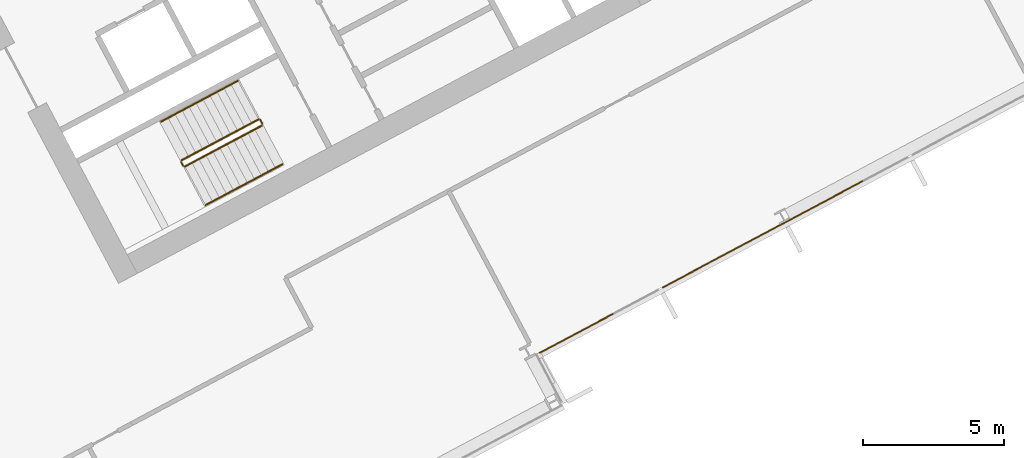
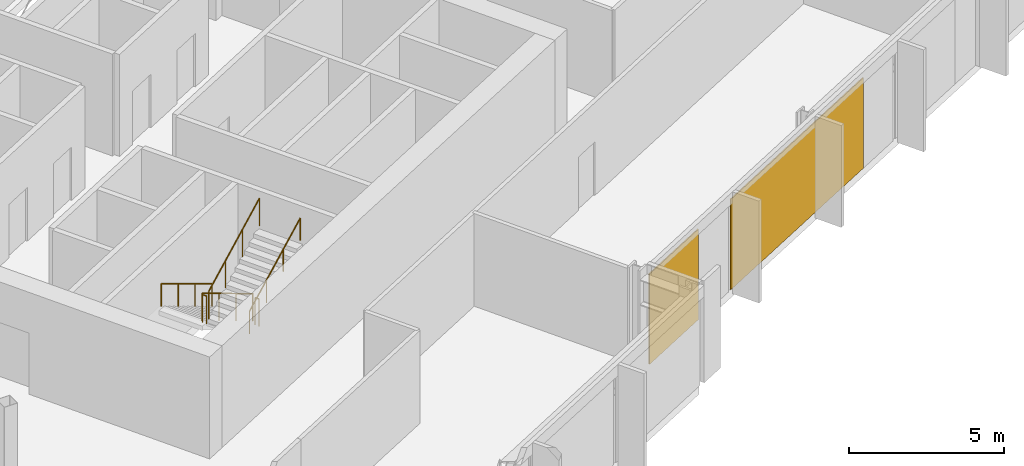
# One storey, part 25 of 28: 6 railings, 2 coverings, 1 element without a shape of its own.
"""IFC4 building model written with IfcOpenShell, lengths in metres."""

from ifc_helpers import new_model, si_unit, direction, frame, origin, origin_2d, place, context, subcontext, project, spatial, polyline, rectangle, outline, extrude, material, layer, layer_set, type_object, element, aggregate, save


model = new_model("IFC4")

# Units and contexts
model_context = context("Model", 3, precision=1e-05, world=origin(), true_north=direction((0.0, 1.0)))
body_context = subcontext(model_context, "Body", "Model", "MODEL_VIEW")
ifc_project = project(units=[si_unit("LENGTHUNIT", "METRE"), si_unit("AREAUNIT", "SQUARE_METRE"), si_unit("VOLUMEUNIT", "CUBIC_METRE"), si_unit("PLANEANGLEUNIT", "RADIAN"), si_unit("MASSUNIT", "GRAM", prefix="KILO")], contexts=[model_context])

# Site, building, storey
site_placement = place(None, origin())
site = spatial("IfcSite", under=ifc_project, at=site_placement, CompositionType="ELEMENT")
building_placement = place(site_placement, origin())
building = spatial("IfcBuilding", under=site, at=building_placement, Name="Cormorant Relay Tower", CompositionType="ELEMENT")
storey_placement = place(building_placement, frame((0.0, 0.0, 154.199951171875)))
storey = spatial("IfcBuildingStorey", under=building, at=storey_placement, Name="L32", CompositionType="ELEMENT", Elevation=154.199951171875)

# Curtain wall, coverings
ifc_material_1 = material(Name="Aluminium 6063-T6 anodised bronze", Category="aluminium")
ifc_layer_1 = layer(ifc_material_1, 0.199951171875)
ifc_layer_set_1 = layer_set([ifc_layer_1], Name="CW1 unitised bronze curtain wall with vertical fins")
curtain_wall_type = type_object("IfcCurtainWallType", Name="CW1 unitised bronze curtain wall with vertical fins", PredefinedType="NOTDEFINED", material=ifc_layer_set_1)
curtain_wall_placement = place(storey_placement, origin())
curtain_wall = element("IfcCurtainWall", 1, at=curtain_wall_placement, inside=storey, type_object=curtain_wall_type, Name="CW1 curtain wall 4", PredefinedType="NOTDEFINED")
ifc_material_2 = material(Name="Pale bronze anodised aluminium insulated panel", Category="aluminium")
ifc_layer_2 = layer(ifc_material_2, 0.0400390625)
ifc_layer_set_2 = layer_set([ifc_layer_2], Name="CW1 pale bronze insulated panel 40")
covering_type = type_object("IfcCoveringType", Name="CW1 pale bronze insulated panel 40", PredefinedType="CLADDING", material=ifc_layer_set_2)
covering_1_placement = place(storey_placement, frame((35.09765625, -2.879638671875, 0.0), z_axis=(0.0, 0.0, 1.0), x_axis=(0.882947592859, 0.469471562786, 0.0)))
covering_1 = element("IfcCovering", 2, at=covering_1_placement, type_object=covering_type, Name="CW1 panel S00", PredefinedType="CLADDING", context=body_context, shape_type="SweptSolid", body=[
    extrude(rectangle(XDim=2.97509765625, YDim=0.0400390625, at=origin_2d()), origin(), (0.0, 0.0, 1.0), 3.550048828125),
])
covering_2_placement = place(storey_placement, frame((41.686767578125, 0.623779296875, 0.0), z_axis=(0.0, 0.0, 1.0), x_axis=(0.882947592859, 0.469471562786, 0.0)))
covering_2 = element("IfcCovering", 3, at=covering_2_placement, type_object=covering_type, Name="CW1 panel S02", PredefinedType="CLADDING", context=body_context, shape_type="SweptSolid", body=[
    extrude(rectangle(XDim=8.050048828125, YDim=0.0400390625, at=origin_2d()), origin(), (0.0, 0.0, 1.0), 3.550048828125),
])
aggregate(curtain_wall, [covering_1, covering_2])

# Railings
ifc_material_3 = material(Name="Steel ASTM A572 Grade 50 (Fy 345 MPa)", Category="steel")
railing_type_1 = type_object("IfcRailingType", Name="Stair guard 1100", PredefinedType="GUARDRAIL", material=ifc_material_3)
railing_1_placement = place(storey_placement, frame((23.83837890625, 4.6904296875, 0.166748046875)))
element("IfcRailing", 4, at=railing_1_placement, inside=storey, type_object=railing_type_1, Name="L32 B1 stair guard 1", PredefinedType="GUARDRAIL", context=body_context, shape_type="SweptSolid", body=[
    extrude(outline(polyline([(0.022216796875, 0.00927734375), (0.00927734375, 0.022216796875), (-0.00927734375, 0.022216796875), (-0.022216796875, 0.00927734375), (-0.022216796875, -0.00927734375), (-0.00927734375, -0.022216796875), (0.00927734375, -0.022216796875), (0.022216796875, -0.00927734375), (0.022216796875, 0.00927734375)])), frame((0.0, 0.0, 1.076171875), z_axis=(-0.758713656843, -0.403434867536, 0.511462505542), x_axis=(0.469489399267, -0.882938108802, 0.0)), (0.0, 0.0, 1.0), 3.584228515625),
    extrude(outline(polyline([(0.019287109375, 0.008056640625), (0.008056640625, 0.019287109375), (-0.008056640625, 0.019287109375), (-0.019287109375, 0.008056640625), (-0.019287109375, -0.008056640625), (-0.008056640625, -0.019287109375), (0.008056640625, -0.019287109375), (0.019287109375, -0.008056640625), (0.019287109375, 0.008056640625)])), origin(), (0.0, 0.0, 1.0), 1.052001953125),
    extrude(outline(polyline([(0.019287109375, 0.008056640625), (0.008056640625, 0.019287109375), (-0.008056640625, 0.019287109375), (-0.019287109375, 0.008056640625), (-0.019287109375, -0.008056640625), (-0.008056640625, -0.019287109375), (0.008056640625, -0.019287109375), (0.019287109375, -0.008056640625), (0.019287109375, 0.008056640625)])), frame((-0.906494140625, -0.48193359375, 0.611083984375)), (0.0, 0.0, 1.0), 1.052001953125),
    extrude(outline(polyline([(0.019287109375, 0.008056640625), (0.008056640625, 0.019287109375), (-0.008056640625, 0.019287109375), (-0.019287109375, 0.008056640625), (-0.019287109375, -0.008056640625), (-0.008056640625, -0.019287109375), (0.008056640625, -0.019287109375), (0.019287109375, -0.008056640625), (0.019287109375, 0.008056640625)])), frame((-1.81298828125, -0.964111328125, 1.22216796875)), (0.0, 0.0, 1.0), 1.052001953125),
    extrude(outline(polyline([(0.019287109375, 0.008056640625), (0.008056640625, 0.019287109375), (-0.008056640625, 0.019287109375), (-0.019287109375, 0.008056640625), (-0.019287109375, -0.008056640625), (-0.008056640625, -0.019287109375), (0.008056640625, -0.019287109375), (0.019287109375, -0.008056640625), (0.019287109375, 0.008056640625)])), frame((-2.719482421875, -1.446044921875, 1.833251953125)), (0.0, 0.0, 1.0), 1.052001953125),
])
railing_2_placement = place(storey_placement, frame((21.09814453125, 3.1767578125, 2.0)))
element("IfcRailing", 5, at=railing_2_placement, inside=storey, type_object=railing_type_1, Name="L32 B1 stair guard 2", PredefinedType="GUARDRAIL", context=body_context, shape_type="SweptSolid", body=[
    extrude(outline(polyline([(0.022216796875, 0.00927734375), (0.00927734375, 0.022216796875), (-0.00927734375, 0.022216796875), (-0.022216796875, 0.00927734375), (-0.022216796875, -0.00927734375), (-0.00927734375, -0.022216796875), (0.00927734375, -0.022216796875), (0.022216796875, -0.00927734375), (0.022216796875, 0.00927734375)])), frame((0.0, 0.0, 1.076171875), z_axis=(0.469234640946, -0.883073525669, 0.0), x_axis=(0.883073525669, 0.469234640946, 0.0)), (0.0, 0.0, 1.0), 0.14990234375),
    extrude(outline(polyline([(0.019287109375, 0.008056640625), (0.008056640625, 0.019287109375), (-0.008056640625, 0.019287109375), (-0.019287109375, 0.008056640625), (-0.019287109375, -0.008056640625), (-0.008056640625, -0.019287109375), (0.008056640625, -0.019287109375), (0.019287109375, -0.008056640625), (0.019287109375, 0.008056640625)])), origin(), (0.0, 0.0, 1.0), 1.052001953125),
    extrude(outline(polyline([(0.019287109375, 0.008056640625), (0.008056640625, 0.019287109375), (-0.008056640625, 0.019287109375), (-0.019287109375, 0.008056640625), (-0.019287109375, -0.008056640625), (-0.008056640625, -0.019287109375), (0.008056640625, -0.019287109375), (0.019287109375, -0.008056640625), (0.019287109375, 0.008056640625)])), frame((0.0703125, -0.13232421875, 0.0)), (0.0, 0.0, 1.0), 1.052001953125),
])
railing_3_placement = place(storey_placement, frame((21.236083984375, 3.023681640625, 2.166748046875)))
element("IfcRailing", 6, at=railing_3_placement, inside=storey, type_object=railing_type_1, Name="L32 B1 stair guard 3", PredefinedType="GUARDRAIL", context=body_context, shape_type="SweptSolid", body=[
    extrude(outline(polyline([(0.022216796875, 0.00927734375), (0.00927734375, 0.022216796875), (-0.00927734375, 0.022216796875), (-0.022216796875, 0.00927734375), (-0.022216796875, -0.00927734375), (-0.00927734375, -0.022216796875), (0.00927734375, -0.022216796875), (0.022216796875, -0.00927734375), (0.022216796875, 0.00927734375)])), frame((0.0, 0.0, 1.076171875), z_axis=(0.758713656843, 0.403434867536, 0.511462505542), x_axis=(-0.469489399267, 0.882938108802, 0.0)), (0.0, 0.0, 1.0), 3.584228515625),
    extrude(outline(polyline([(0.019287109375, 0.008056640625), (0.008056640625, 0.019287109375), (-0.008056640625, 0.019287109375), (-0.019287109375, 0.008056640625), (-0.019287109375, -0.008056640625), (-0.008056640625, -0.019287109375), (0.008056640625, -0.019287109375), (0.019287109375, -0.008056640625), (0.019287109375, 0.008056640625)])), origin(), (0.0, 0.0, 1.0), 1.052001953125),
    extrude(outline(polyline([(0.019287109375, 0.008056640625), (0.008056640625, 0.019287109375), (-0.008056640625, 0.019287109375), (-0.019287109375, 0.008056640625), (-0.019287109375, -0.008056640625), (-0.008056640625, -0.019287109375), (0.008056640625, -0.019287109375), (0.019287109375, -0.008056640625), (0.019287109375, 0.008056640625)])), frame((0.906494140625, 0.48193359375, 0.611083984375)), (0.0, 0.0, 1.0), 1.052001953125),
    extrude(outline(polyline([(0.019287109375, 0.008056640625), (0.008056640625, 0.019287109375), (-0.008056640625, 0.019287109375), (-0.019287109375, 0.008056640625), (-0.019287109375, -0.008056640625), (-0.008056640625, -0.019287109375), (0.008056640625, -0.019287109375), (0.019287109375, -0.008056640625), (0.019287109375, 0.008056640625)])), frame((1.81298828125, 0.964111328125, 1.22216796875)), (0.0, 0.0, 1.0), 1.052001953125),
    extrude(outline(polyline([(0.019287109375, 0.008056640625), (0.008056640625, 0.019287109375), (-0.008056640625, 0.019287109375), (-0.019287109375, 0.008056640625), (-0.019287109375, -0.008056640625), (-0.008056640625, -0.019287109375), (0.008056640625, -0.019287109375), (0.019287109375, -0.008056640625), (0.019287109375, 0.008056640625)])), frame((2.719482421875, 1.446044921875, 1.833251953125)), (0.0, 0.0, 1.0), 1.052001953125),
])
railing_4_placement = place(storey_placement, frame((23.906005859375, 4.669677734375, 0.0)))
element("IfcRailing", 7, at=railing_4_placement, inside=storey, type_object=railing_type_1, Name="L32 B1 stair guard 4", PredefinedType="GUARDRAIL", context=body_context, shape_type="SweptSolid", body=[
    extrude(outline(polyline([(0.022216796875, 0.00927734375), (0.00927734375, 0.022216796875), (-0.00927734375, 0.022216796875), (-0.022216796875, 0.00927734375), (-0.022216796875, -0.00927734375), (-0.00927734375, -0.022216796875), (0.00927734375, -0.022216796875), (0.022216796875, -0.00927734375), (0.022216796875, 0.00927734375)])), frame((0.0, 0.0, 1.076171875), z_axis=(0.469234640946, -0.883073525669, 0.0), x_axis=(0.883073525669, 0.469234640946, 0.0)), (0.0, 0.0, 1.0), 0.14990234375),
    extrude(outline(polyline([(0.019287109375, 0.008056640625), (0.008056640625, 0.019287109375), (-0.008056640625, 0.019287109375), (-0.019287109375, 0.008056640625), (-0.019287109375, -0.008056640625), (-0.008056640625, -0.019287109375), (0.008056640625, -0.019287109375), (0.019287109375, -0.008056640625), (0.019287109375, 0.008056640625)])), origin(), (0.0, 0.0, 1.0), 1.052001953125),
    extrude(outline(polyline([(0.019287109375, 0.008056640625), (0.008056640625, 0.019287109375), (-0.008056640625, 0.019287109375), (-0.019287109375, 0.008056640625), (-0.019287109375, -0.008056640625), (-0.008056640625, -0.019287109375), (0.008056640625, -0.019287109375), (0.019287109375, -0.008056640625), (0.019287109375, 0.008056640625)])), frame((0.0703125, -0.13232421875, 0.0)), (0.0, 0.0, 1.0), 1.052001953125),
])
ifc_material_4 = material(Name="Steel ASTM A572 Grade 50 (Fy 345 MPa)", Category="steel")
railing_type_2 = type_object("IfcRailingType", Name="Stair handrail 900", PredefinedType="HANDRAIL", material=ifc_material_4)
railing_5_placement = place(storey_placement, frame((23.110595703125, 6.05908203125, 0.166748046875)))
element("IfcRailing", 8, at=railing_5_placement, inside=storey, type_object=railing_type_2, Name="L32 B1 stair handrail 1", PredefinedType="HANDRAIL", context=body_context, shape_type="SweptSolid", body=[
    extrude(outline(polyline([(0.022216796875, 0.00927734375), (0.00927734375, 0.022216796875), (-0.00927734375, 0.022216796875), (-0.022216796875, 0.00927734375), (-0.022216796875, -0.00927734375), (-0.00927734375, -0.022216796875), (0.00927734375, -0.022216796875), (0.022216796875, -0.00927734375), (0.022216796875, 0.00927734375)])), frame((0.0, 0.0, 0.8759765625), z_axis=(-0.758713656843, -0.403434867536, 0.511462505542), x_axis=(0.469489399267, -0.882938108802, 0.0)), (0.0, 0.0, 1.0), 3.584228515625),
    extrude(outline(polyline([(0.019287109375, 0.008056640625), (0.008056640625, 0.019287109375), (-0.008056640625, 0.019287109375), (-0.019287109375, 0.008056640625), (-0.019287109375, -0.008056640625), (-0.008056640625, -0.019287109375), (0.008056640625, -0.019287109375), (0.019287109375, -0.008056640625), (0.019287109375, 0.008056640625)])), origin(), (0.0, 0.0, 1.0), 0.851806640625),
    extrude(outline(polyline([(0.019287109375, 0.008056640625), (0.008056640625, 0.019287109375), (-0.008056640625, 0.019287109375), (-0.019287109375, 0.008056640625), (-0.019287109375, -0.008056640625), (-0.008056640625, -0.019287109375), (0.008056640625, -0.019287109375), (0.019287109375, -0.008056640625), (0.019287109375, 0.008056640625)])), frame((-0.906494140625, -0.48193359375, 0.611083984375)), (0.0, 0.0, 1.0), 0.851806640625),
    extrude(outline(polyline([(0.019287109375, 0.008056640625), (0.008056640625, 0.019287109375), (-0.008056640625, 0.019287109375), (-0.019287109375, 0.008056640625), (-0.019287109375, -0.008056640625), (-0.008056640625, -0.019287109375), (0.008056640625, -0.019287109375), (0.019287109375, -0.008056640625), (0.019287109375, 0.008056640625)])), frame((-1.81298828125, -0.964111328125, 1.22216796875)), (0.0, 0.0, 1.0), 0.851806640625),
    extrude(outline(polyline([(0.019287109375, 0.008056640625), (0.008056640625, 0.019287109375), (-0.008056640625, 0.019287109375), (-0.019287109375, 0.008056640625), (-0.019287109375, -0.008056640625), (-0.008056640625, -0.019287109375), (0.008056640625, -0.019287109375), (0.019287109375, -0.008056640625), (0.019287109375, 0.008056640625)])), frame((-2.719482421875, -1.446044921875, 1.833251953125)), (0.0, 0.0, 1.0), 0.851806640625),
])
railing_6_placement = place(storey_placement, frame((21.9638671875, 1.6552734375, 2.166748046875)))
element("IfcRailing", 9, at=railing_6_placement, inside=storey, type_object=railing_type_2, Name="L32 B1 stair handrail 2", PredefinedType="HANDRAIL", context=body_context, shape_type="SweptSolid", body=[
    extrude(outline(polyline([(0.022216796875, 0.00927734375), (0.00927734375, 0.022216796875), (-0.00927734375, 0.022216796875), (-0.022216796875, 0.00927734375), (-0.022216796875, -0.00927734375), (-0.00927734375, -0.022216796875), (0.00927734375, -0.022216796875), (0.022216796875, -0.00927734375), (0.022216796875, 0.00927734375)])), frame((0.0, 0.0, 0.8759765625), z_axis=(0.758734504837, 0.403377838015, 0.511476559549), x_axis=(-0.469427602063, 0.882970965786, 0.0)), (0.0, 0.0, 1.0), 3.584228515625),
    extrude(outline(polyline([(0.019287109375, 0.008056640625), (0.008056640625, 0.019287109375), (-0.008056640625, 0.019287109375), (-0.019287109375, 0.008056640625), (-0.019287109375, -0.008056640625), (-0.008056640625, -0.019287109375), (0.008056640625, -0.019287109375), (0.019287109375, -0.008056640625), (0.019287109375, 0.008056640625)])), origin(), (0.0, 0.0, 1.0), 0.851806640625),
    extrude(outline(polyline([(0.019287109375, 0.008056640625), (0.008056640625, 0.019287109375), (-0.008056640625, 0.019287109375), (-0.019287109375, 0.008056640625), (-0.019287109375, -0.008056640625), (-0.008056640625, -0.019287109375), (0.008056640625, -0.019287109375), (0.019287109375, -0.008056640625), (0.019287109375, 0.008056640625)])), frame((0.906494140625, 0.48193359375, 0.611083984375)), (0.0, 0.0, 1.0), 0.851806640625),
    extrude(outline(polyline([(0.019287109375, 0.008056640625), (0.008056640625, 0.019287109375), (-0.008056640625, 0.019287109375), (-0.019287109375, 0.008056640625), (-0.019287109375, -0.008056640625), (-0.008056640625, -0.019287109375), (0.008056640625, -0.019287109375), (0.019287109375, -0.008056640625), (0.019287109375, 0.008056640625)])), frame((1.81298828125, 0.9638671875, 1.22216796875)), (0.0, 0.0, 1.0), 0.851806640625),
    extrude(outline(polyline([(0.019287109375, 0.008056640625), (0.008056640625, 0.019287109375), (-0.008056640625, 0.019287109375), (-0.019287109375, 0.008056640625), (-0.019287109375, -0.008056640625), (-0.008056640625, -0.019287109375), (0.008056640625, -0.019287109375), (0.019287109375, -0.008056640625), (0.019287109375, 0.008056640625)])), frame((2.719482421875, 1.44580078125, 1.833251953125)), (0.0, 0.0, 1.0), 0.851806640625),
])

save(model, "model.ifc")
